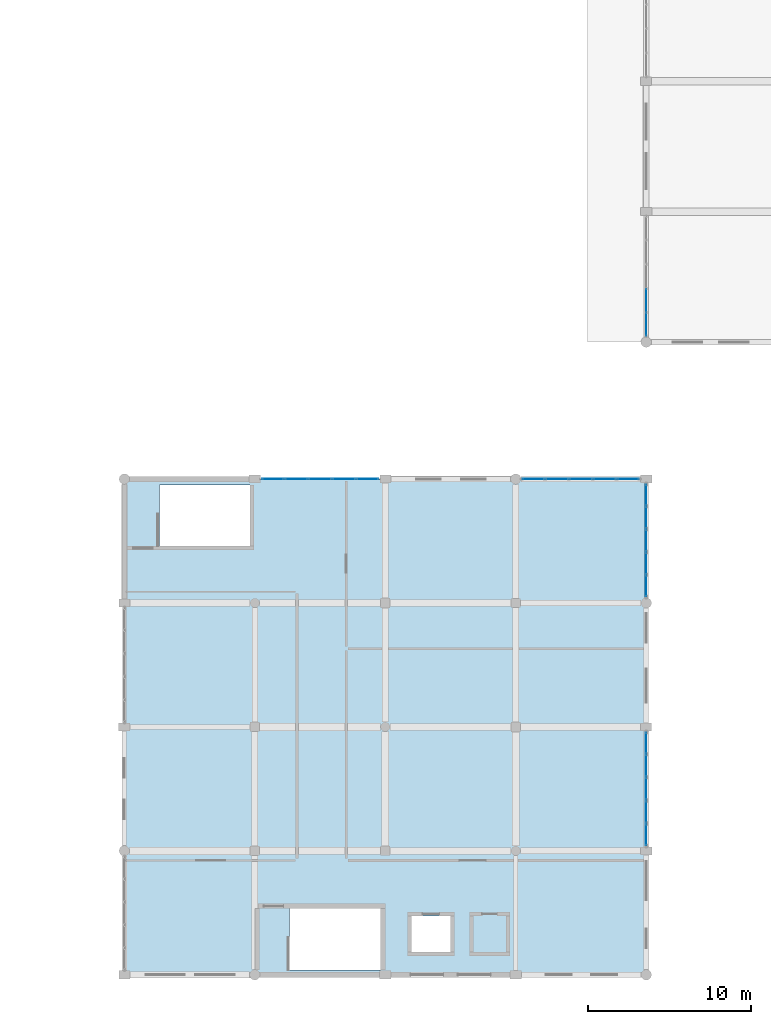
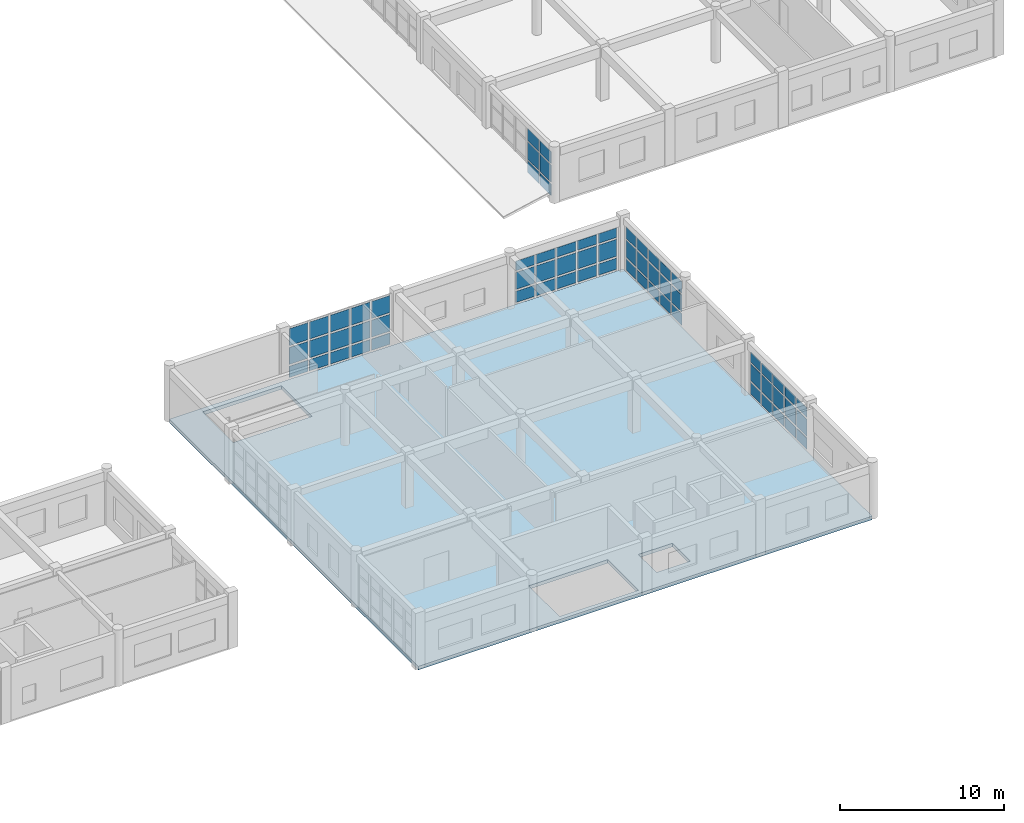
# One storey, part 97 of 121: 66 plates, 1 slab, 5 elements without a shape of their own.
"""IFC4 building model written with IfcOpenShell, lengths in metres."""

from ifc_helpers import new_model, si_unit, direction, frame, origin, origin_2d, place, context, subcontext, project, spatial, polyline, rectangle, outline, extrude, material, layer, layer_set, type_object, element, aggregate, save


model = new_model("IFC4")

# Units and contexts
model_context = context("Model", 3, precision=1e-05, world=origin(), true_north=direction((0.0, 1.0)))
body_context = subcontext(model_context, "Body", "Model", "MODEL_VIEW")
ifc_project = project(units=[si_unit("LENGTHUNIT", "METRE"), si_unit("AREAUNIT", "SQUARE_METRE"), si_unit("VOLUMEUNIT", "CUBIC_METRE"), si_unit("PLANEANGLEUNIT", "RADIAN"), si_unit("MASSUNIT", "GRAM", prefix="KILO")], contexts=[model_context])

# Site, building, storey
site_placement = place(None, origin())
site = spatial("IfcSite", under=ifc_project, at=site_placement, CompositionType="ELEMENT")
building_placement = place(site_placement, origin())
building = spatial("IfcBuilding", under=site, at=building_placement, Name="Kharva Crest Polytechnic", CompositionType="ELEMENT")
storey_placement = place(building_placement, frame((0.0, 0.0, 13.199951171875)))
storey = spatial("IfcBuildingStorey", under=building, at=storey_placement, Name="L03", CompositionType="ELEMENT", Elevation=13.199951171875)

# Curtain wall, plates
ifc_material_1 = material(Name="Tempered insulated glass", Category="glass")
curtain_wall_type_1 = type_object("IfcCurtainWallType", Name="CW-SYS-COURT", PredefinedType="USERDEFINED", material=ifc_material_1)
curtain_wall_1_placement = place(storey_placement, origin())
curtain_wall_1 = element("IfcCurtainWall", 1, at=curtain_wall_1_placement, inside=storey, type_object=curtain_wall_type_1, Name="L03 Glazed Curtain Wall CW-148", ObjectType="CURTAIN WALL", PredefinedType="USERDEFINED")
ifc_layer_1 = layer(ifc_material_1, 0.02392578125, Name="Tempered insulated glass")
ifc_layer_set_1 = layer_set([ifc_layer_1], Name="Tempered insulated glass")
plate_type_1 = type_object("IfcPlateType", Name="CWP-GLZ-24", PredefinedType="CURTAIN_PANEL", material=ifc_layer_set_1)
plate_1_placement = place(storey_placement, frame((152.800048828125, 41.35107421875, 0.119873046875), z_axis=(0.0, 0.0, 1.0), x_axis=(0.0, -1.0, 0.0)))
plate_1 = element("IfcPlate", 2, at=plate_1_placement, type_object=plate_type_1, Name="CW-148 panel 4.1", PredefinedType="CURTAIN_PANEL", context=body_context, shape_type="SweptSolid", body=[
    extrude(rectangle(XDim=1.404052734375, YDim=0.02392578125, at=origin_2d()), origin(), (0.0, 0.0, 1.0), 0.8701171875),
])
plate_2_placement = place(storey_placement, frame((152.800048828125, 41.35107421875, 1.10986328125), z_axis=(0.0, 0.0, 1.0), x_axis=(0.0, -1.0, 0.0)))
plate_2 = element("IfcPlate", 3, at=plate_2_placement, type_object=plate_type_1, Name="CW-148 panel 4.2", PredefinedType="CURTAIN_PANEL", context=body_context, shape_type="SweptSolid", body=[
    extrude(rectangle(XDim=1.404052734375, YDim=0.02392578125, at=origin_2d()), origin(), (0.0, 0.0, 1.0), 1.280029296875),
])
plate_3_placement = place(storey_placement, frame((152.800048828125, 41.35107421875, 2.51025390625), z_axis=(0.0, 0.0, 1.0), x_axis=(0.0, -1.0, 0.0)))
plate_3 = element("IfcPlate", 4, at=plate_3_placement, type_object=plate_type_1, Name="CW-148 panel 4.3", PredefinedType="CURTAIN_PANEL", context=body_context, shape_type="SweptSolid", body=[
    extrude(rectangle(XDim=1.404052734375, YDim=0.02392578125, at=origin_2d()), origin(), (0.0, 0.0, 1.0), 0.889892578125),
])
plate_4_placement = place(storey_placement, frame((152.800048828125, 39.886962890625, 0.119873046875), z_axis=(0.0, 0.0, 1.0), x_axis=(0.0, -1.0, 0.0)))
plate_4 = element("IfcPlate", 5, at=plate_4_placement, type_object=plate_type_1, Name="CW-148 panel 5.1", PredefinedType="CURTAIN_PANEL", context=body_context, shape_type="SweptSolid", body=[
    extrude(rectangle(XDim=1.364013671875, YDim=0.02392578125, at=origin_2d()), origin(), (0.0, 0.0, 1.0), 0.8701171875),
])
plate_5_placement = place(storey_placement, frame((152.800048828125, 39.886962890625, 1.10986328125), z_axis=(0.0, 0.0, 1.0), x_axis=(0.0, -1.0, 0.0)))
plate_5 = element("IfcPlate", 6, at=plate_5_placement, type_object=plate_type_1, Name="CW-148 panel 5.2", PredefinedType="CURTAIN_PANEL", context=body_context, shape_type="SweptSolid", body=[
    extrude(rectangle(XDim=1.364013671875, YDim=0.02392578125, at=origin_2d()), origin(), (0.0, 0.0, 1.0), 1.280029296875),
])
plate_6_placement = place(storey_placement, frame((152.800048828125, 39.886962890625, 2.51025390625), z_axis=(0.0, 0.0, 1.0), x_axis=(0.0, -1.0, 0.0)))
plate_6 = element("IfcPlate", 7, at=plate_6_placement, type_object=plate_type_1, Name="CW-148 panel 5.3", PredefinedType="CURTAIN_PANEL", context=body_context, shape_type="SweptSolid", body=[
    extrude(rectangle(XDim=1.364013671875, YDim=0.02392578125, at=origin_2d()), origin(), (0.0, 0.0, 1.0), 0.889892578125),
])
aggregate(curtain_wall_1, [plate_1, plate_2, plate_3, plate_4, plate_5, plate_6])

curtain_wall_type_2 = type_object("IfcCurtainWallType", Name="CW-SYS-REFECTORY", PredefinedType="USERDEFINED", material=ifc_material_1)
curtain_wall_2_placement = place(storey_placement, origin())
curtain_wall_2 = element("IfcCurtainWall", 8, at=curtain_wall_2_placement, inside=storey, type_object=curtain_wall_type_2, Name="L03 Glazed Curtain Wall CW-141", ObjectType="CURTAIN WALL", PredefinedType="USERDEFINED")
ifc_layer_2 = layer(ifc_material_1, 0.030029296875, Name="Tempered insulated glass")
ifc_layer_set_2 = layer_set([ifc_layer_2], Name="Tempered insulated glass")
plate_type_2 = type_object("IfcPlateType", Name="CWP-GLZ-30", PredefinedType="CURTAIN_PANEL", material=ifc_layer_set_2)
plate_7_placement = place(storey_placement, frame((152.800048828125, 8.589111328125, 0.14013671875), z_axis=(0.0, 0.0, 1.0), x_axis=(0.0, 1.0, 0.0)))
plate_7 = element("IfcPlate", 9, at=plate_7_placement, type_object=plate_type_2, Name="CW-141 panel 1.1", PredefinedType="CURTAIN_PANEL", context=body_context, shape_type="SweptSolid", body=[
    extrude(rectangle(XDim=1.26806640625, YDim=0.030029296875, at=origin_2d()), origin(), (0.0, 0.0, 1.0), 0.840087890625),
])
plate_8_placement = place(storey_placement, frame((152.800048828125, 8.589111328125, 1.1201171875), z_axis=(0.0, 0.0, 1.0), x_axis=(0.0, 1.0, 0.0)))
plate_8 = element("IfcPlate", 10, at=plate_8_placement, type_object=plate_type_2, Name="CW-141 panel 1.2", PredefinedType="CURTAIN_PANEL", context=body_context, shape_type="SweptSolid", body=[
    extrude(rectangle(XDim=1.26806640625, YDim=0.030029296875, at=origin_2d()), origin(), (0.0, 0.0, 1.0), 1.260009765625),
])
plate_9_placement = place(storey_placement, frame((152.800048828125, 8.589111328125, 2.52001953125), z_axis=(0.0, 0.0, 1.0), x_axis=(0.0, 1.0, 0.0)))
plate_9 = element("IfcPlate", 11, at=plate_9_placement, type_object=plate_type_2, Name="CW-141 panel 1.3", PredefinedType="CURTAIN_PANEL", context=body_context, shape_type="SweptSolid", body=[
    extrude(rectangle(XDim=1.26806640625, YDim=0.030029296875, at=origin_2d()), origin(), (0.0, 0.0, 1.0), 0.719970703125),
])
plate_10_placement = place(storey_placement, frame((152.800048828125, 9.98193359375, 0.14013671875), z_axis=(0.0, 0.0, 1.0), x_axis=(0.0, 1.0, 0.0)))
plate_10 = element("IfcPlate", 12, at=plate_10_placement, type_object=plate_type_2, Name="CW-141 panel 2.1", PredefinedType="CURTAIN_PANEL", context=body_context, shape_type="SweptSolid", body=[
    extrude(rectangle(XDim=1.318115234375, YDim=0.030029296875, at=origin_2d()), origin(), (0.0, 0.0, 1.0), 0.840087890625),
])
plate_11_placement = place(storey_placement, frame((152.800048828125, 9.98193359375, 1.1201171875), z_axis=(0.0, 0.0, 1.0), x_axis=(0.0, 1.0, 0.0)))
plate_11 = element("IfcPlate", 13, at=plate_11_placement, type_object=plate_type_2, Name="CW-141 panel 2.2", PredefinedType="CURTAIN_PANEL", context=body_context, shape_type="SweptSolid", body=[
    extrude(rectangle(XDim=1.318115234375, YDim=0.030029296875, at=origin_2d()), origin(), (0.0, 0.0, 1.0), 1.260009765625),
])
plate_12_placement = place(storey_placement, frame((152.800048828125, 9.98193359375, 2.52001953125), z_axis=(0.0, 0.0, 1.0), x_axis=(0.0, 1.0, 0.0)))
plate_12 = element("IfcPlate", 14, at=plate_12_placement, type_object=plate_type_2, Name="CW-141 panel 2.3", PredefinedType="CURTAIN_PANEL", context=body_context, shape_type="SweptSolid", body=[
    extrude(rectangle(XDim=1.318115234375, YDim=0.030029296875, at=origin_2d()), origin(), (0.0, 0.0, 1.0), 0.719970703125),
])
plate_13_placement = place(storey_placement, frame((152.800048828125, 11.39990234375, 0.14013671875), z_axis=(0.0, 0.0, 1.0), x_axis=(0.0, 1.0, 0.0)))
plate_13 = element("IfcPlate", 15, at=plate_13_placement, type_object=plate_type_2, Name="CW-141 panel 3.1", PredefinedType="CURTAIN_PANEL", context=body_context, shape_type="SweptSolid", body=[
    extrude(rectangle(XDim=1.318115234375, YDim=0.030029296875, at=origin_2d()), origin(), (0.0, 0.0, 1.0), 0.840087890625),
])
plate_14_placement = place(storey_placement, frame((152.800048828125, 11.39990234375, 1.1201171875), z_axis=(0.0, 0.0, 1.0), x_axis=(0.0, 1.0, 0.0)))
plate_14 = element("IfcPlate", 16, at=plate_14_placement, type_object=plate_type_2, Name="CW-141 panel 3.2", PredefinedType="CURTAIN_PANEL", context=body_context, shape_type="SweptSolid", body=[
    extrude(rectangle(XDim=1.318115234375, YDim=0.030029296875, at=origin_2d()), origin(), (0.0, 0.0, 1.0), 1.260009765625),
])
plate_15_placement = place(storey_placement, frame((152.800048828125, 11.39990234375, 2.52001953125), z_axis=(0.0, 0.0, 1.0), x_axis=(0.0, 1.0, 0.0)))
plate_15 = element("IfcPlate", 17, at=plate_15_placement, type_object=plate_type_2, Name="CW-141 panel 3.3", PredefinedType="CURTAIN_PANEL", context=body_context, shape_type="SweptSolid", body=[
    extrude(rectangle(XDim=1.318115234375, YDim=0.030029296875, at=origin_2d()), origin(), (0.0, 0.0, 1.0), 0.719970703125),
])
plate_16_placement = place(storey_placement, frame((152.800048828125, 12.818115234375, 0.14013671875), z_axis=(0.0, 0.0, 1.0), x_axis=(0.0, 1.0, 0.0)))
plate_16 = element("IfcPlate", 18, at=plate_16_placement, type_object=plate_type_2, Name="CW-141 panel 4.1", PredefinedType="CURTAIN_PANEL", context=body_context, shape_type="SweptSolid", body=[
    extrude(rectangle(XDim=1.318115234375, YDim=0.030029296875, at=origin_2d()), origin(), (0.0, 0.0, 1.0), 0.840087890625),
])
plate_17_placement = place(storey_placement, frame((152.800048828125, 12.818115234375, 1.1201171875), z_axis=(0.0, 0.0, 1.0), x_axis=(0.0, 1.0, 0.0)))
plate_17 = element("IfcPlate", 19, at=plate_17_placement, type_object=plate_type_2, Name="CW-141 panel 4.2", PredefinedType="CURTAIN_PANEL", context=body_context, shape_type="SweptSolid", body=[
    extrude(rectangle(XDim=1.318115234375, YDim=0.030029296875, at=origin_2d()), origin(), (0.0, 0.0, 1.0), 1.260009765625),
])
plate_18_placement = place(storey_placement, frame((152.800048828125, 12.818115234375, 2.52001953125), z_axis=(0.0, 0.0, 1.0), x_axis=(0.0, 1.0, 0.0)))
plate_18 = element("IfcPlate", 20, at=plate_18_placement, type_object=plate_type_2, Name="CW-141 panel 4.3", PredefinedType="CURTAIN_PANEL", context=body_context, shape_type="SweptSolid", body=[
    extrude(rectangle(XDim=1.318115234375, YDim=0.030029296875, at=origin_2d()), origin(), (0.0, 0.0, 1.0), 0.719970703125),
])
plate_19_placement = place(storey_placement, frame((152.800048828125, 14.2109375, 0.14013671875), z_axis=(0.0, 0.0, 1.0), x_axis=(0.0, 1.0, 0.0)))
plate_19 = element("IfcPlate", 21, at=plate_19_placement, type_object=plate_type_2, Name="CW-141 panel 5.1", PredefinedType="CURTAIN_PANEL", context=body_context, shape_type="SweptSolid", body=[
    extrude(rectangle(XDim=1.26806640625, YDim=0.030029296875, at=origin_2d()), origin(), (0.0, 0.0, 1.0), 0.840087890625),
])
plate_20_placement = place(storey_placement, frame((152.800048828125, 14.2109375, 1.1201171875), z_axis=(0.0, 0.0, 1.0), x_axis=(0.0, 1.0, 0.0)))
plate_20 = element("IfcPlate", 22, at=plate_20_placement, type_object=plate_type_2, Name="CW-141 panel 5.2", PredefinedType="CURTAIN_PANEL", context=body_context, shape_type="SweptSolid", body=[
    extrude(rectangle(XDim=1.26806640625, YDim=0.030029296875, at=origin_2d()), origin(), (0.0, 0.0, 1.0), 1.260009765625),
])
plate_21_placement = place(storey_placement, frame((152.800048828125, 14.2109375, 2.52001953125), z_axis=(0.0, 0.0, 1.0), x_axis=(0.0, 1.0, 0.0)))
plate_21 = element("IfcPlate", 23, at=plate_21_placement, type_object=plate_type_2, Name="CW-141 panel 5.3", PredefinedType="CURTAIN_PANEL", context=body_context, shape_type="SweptSolid", body=[
    extrude(rectangle(XDim=1.26806640625, YDim=0.030029296875, at=origin_2d()), origin(), (0.0, 0.0, 1.0), 0.719970703125),
])
aggregate(curtain_wall_2, [plate_7, plate_8, plate_9, plate_10, plate_11, plate_12, plate_13, plate_14, plate_15, plate_16, plate_17, plate_18, plate_19, plate_20, plate_21])

curtain_wall_3_placement = place(storey_placement, origin())
curtain_wall_3 = element("IfcCurtainWall", 24, at=curtain_wall_3_placement, inside=storey, type_object=curtain_wall_type_2, Name="L03 Glazed Curtain Wall CW-142", ObjectType="CURTAIN WALL", PredefinedType="USERDEFINED")
plate_22_placement = place(storey_placement, frame((152.800048828125, 23.85205078125, 0.14013671875), z_axis=(0.0, 0.0, 1.0), x_axis=(0.0, 1.0, 0.0)))
plate_22 = element("IfcPlate", 25, at=plate_22_placement, type_object=plate_type_2, Name="CW-142 panel 1.1", PredefinedType="CURTAIN_PANEL", context=body_context, shape_type="SweptSolid", body=[
    extrude(rectangle(XDim=1.25390625, YDim=0.030029296875, at=origin_2d()), origin(), (0.0, 0.0, 1.0), 0.840087890625),
])
plate_23_placement = place(storey_placement, frame((152.800048828125, 23.85205078125, 1.1201171875), z_axis=(0.0, 0.0, 1.0), x_axis=(0.0, 1.0, 0.0)))
plate_23 = element("IfcPlate", 26, at=plate_23_placement, type_object=plate_type_2, Name="CW-142 panel 1.2", PredefinedType="CURTAIN_PANEL", context=body_context, shape_type="SweptSolid", body=[
    extrude(rectangle(XDim=1.25390625, YDim=0.030029296875, at=origin_2d()), origin(), (0.0, 0.0, 1.0), 1.260009765625),
])
plate_24_placement = place(storey_placement, frame((152.800048828125, 23.85205078125, 2.52001953125), z_axis=(0.0, 0.0, 1.0), x_axis=(0.0, 1.0, 0.0)))
plate_24 = element("IfcPlate", 27, at=plate_24_placement, type_object=plate_type_2, Name="CW-142 panel 1.3", PredefinedType="CURTAIN_PANEL", context=body_context, shape_type="SweptSolid", body=[
    extrude(rectangle(XDim=1.25390625, YDim=0.030029296875, at=origin_2d()), origin(), (0.0, 0.0, 1.0), 0.840087890625),
])
plate_25_placement = place(storey_placement, frame((152.800048828125, 25.23095703125, 0.14013671875), z_axis=(0.0, 0.0, 1.0), x_axis=(0.0, 1.0, 0.0)))
plate_25 = element("IfcPlate", 28, at=plate_25_placement, type_object=plate_type_2, Name="CW-142 panel 2.1", PredefinedType="CURTAIN_PANEL", context=body_context, shape_type="SweptSolid", body=[
    extrude(rectangle(XDim=1.303955078125, YDim=0.030029296875, at=origin_2d()), origin(), (0.0, 0.0, 1.0), 0.840087890625),
])
plate_26_placement = place(storey_placement, frame((152.800048828125, 25.23095703125, 1.1201171875), z_axis=(0.0, 0.0, 1.0), x_axis=(0.0, 1.0, 0.0)))
plate_26 = element("IfcPlate", 29, at=plate_26_placement, type_object=plate_type_2, Name="CW-142 panel 2.2", PredefinedType="CURTAIN_PANEL", context=body_context, shape_type="SweptSolid", body=[
    extrude(rectangle(XDim=1.303955078125, YDim=0.030029296875, at=origin_2d()), origin(), (0.0, 0.0, 1.0), 1.260009765625),
])
plate_27_placement = place(storey_placement, frame((152.800048828125, 25.23095703125, 2.52001953125), z_axis=(0.0, 0.0, 1.0), x_axis=(0.0, 1.0, 0.0)))
plate_27 = element("IfcPlate", 30, at=plate_27_placement, type_object=plate_type_2, Name="CW-142 panel 2.3", PredefinedType="CURTAIN_PANEL", context=body_context, shape_type="SweptSolid", body=[
    extrude(rectangle(XDim=1.303955078125, YDim=0.030029296875, at=origin_2d()), origin(), (0.0, 0.0, 1.0), 0.840087890625),
])
plate_28_placement = place(storey_placement, frame((152.800048828125, 26.635009765625, 0.14013671875), z_axis=(0.0, 0.0, 1.0), x_axis=(0.0, 1.0, 0.0)))
plate_28 = element("IfcPlate", 31, at=plate_28_placement, type_object=plate_type_2, Name="CW-142 panel 3.1", PredefinedType="CURTAIN_PANEL", context=body_context, shape_type="SweptSolid", body=[
    extrude(rectangle(XDim=1.303955078125, YDim=0.030029296875, at=origin_2d()), origin(), (0.0, 0.0, 1.0), 0.840087890625),
])
plate_29_placement = place(storey_placement, frame((152.800048828125, 26.635009765625, 1.1201171875), z_axis=(0.0, 0.0, 1.0), x_axis=(0.0, 1.0, 0.0)))
plate_29 = element("IfcPlate", 32, at=plate_29_placement, type_object=plate_type_2, Name="CW-142 panel 3.2", PredefinedType="CURTAIN_PANEL", context=body_context, shape_type="SweptSolid", body=[
    extrude(rectangle(XDim=1.303955078125, YDim=0.030029296875, at=origin_2d()), origin(), (0.0, 0.0, 1.0), 1.260009765625),
])
plate_30_placement = place(storey_placement, frame((152.800048828125, 26.635009765625, 2.52001953125), z_axis=(0.0, 0.0, 1.0), x_axis=(0.0, 1.0, 0.0)))
plate_30 = element("IfcPlate", 33, at=plate_30_placement, type_object=plate_type_2, Name="CW-142 panel 3.3", PredefinedType="CURTAIN_PANEL", context=body_context, shape_type="SweptSolid", body=[
    extrude(rectangle(XDim=1.303955078125, YDim=0.030029296875, at=origin_2d()), origin(), (0.0, 0.0, 1.0), 0.840087890625),
])
plate_31_placement = place(storey_placement, frame((152.800048828125, 28.0390625, 0.14013671875), z_axis=(0.0, 0.0, 1.0), x_axis=(0.0, 1.0, 0.0)))
plate_31 = element("IfcPlate", 34, at=plate_31_placement, type_object=plate_type_2, Name="CW-142 panel 4.1", PredefinedType="CURTAIN_PANEL", context=body_context, shape_type="SweptSolid", body=[
    extrude(rectangle(XDim=1.303955078125, YDim=0.030029296875, at=origin_2d()), origin(), (0.0, 0.0, 1.0), 0.840087890625),
])
plate_32_placement = place(storey_placement, frame((152.800048828125, 28.0390625, 1.1201171875), z_axis=(0.0, 0.0, 1.0), x_axis=(0.0, 1.0, 0.0)))
plate_32 = element("IfcPlate", 35, at=plate_32_placement, type_object=plate_type_2, Name="CW-142 panel 4.2", PredefinedType="CURTAIN_PANEL", context=body_context, shape_type="SweptSolid", body=[
    extrude(rectangle(XDim=1.303955078125, YDim=0.030029296875, at=origin_2d()), origin(), (0.0, 0.0, 1.0), 1.260009765625),
])
plate_33_placement = place(storey_placement, frame((152.800048828125, 28.0390625, 2.52001953125), z_axis=(0.0, 0.0, 1.0), x_axis=(0.0, 1.0, 0.0)))
plate_33 = element("IfcPlate", 36, at=plate_33_placement, type_object=plate_type_2, Name="CW-142 panel 4.3", PredefinedType="CURTAIN_PANEL", context=body_context, shape_type="SweptSolid", body=[
    extrude(rectangle(XDim=1.303955078125, YDim=0.030029296875, at=origin_2d()), origin(), (0.0, 0.0, 1.0), 0.840087890625),
])
plate_34_placement = place(storey_placement, frame((152.800048828125, 29.41796875, 0.14013671875), z_axis=(0.0, 0.0, 1.0), x_axis=(0.0, 1.0, 0.0)))
plate_34 = element("IfcPlate", 37, at=plate_34_placement, type_object=plate_type_2, Name="CW-142 panel 5.1", PredefinedType="CURTAIN_PANEL", context=body_context, shape_type="SweptSolid", body=[
    extrude(rectangle(XDim=1.25390625, YDim=0.030029296875, at=origin_2d()), origin(), (0.0, 0.0, 1.0), 0.840087890625),
])
plate_35_placement = place(storey_placement, frame((152.800048828125, 29.41796875, 1.1201171875), z_axis=(0.0, 0.0, 1.0), x_axis=(0.0, 1.0, 0.0)))
plate_35 = element("IfcPlate", 38, at=plate_35_placement, type_object=plate_type_2, Name="CW-142 panel 5.2", PredefinedType="CURTAIN_PANEL", context=body_context, shape_type="SweptSolid", body=[
    extrude(rectangle(XDim=1.25390625, YDim=0.030029296875, at=origin_2d()), origin(), (0.0, 0.0, 1.0), 1.260009765625),
])
plate_36_placement = place(storey_placement, frame((152.800048828125, 29.41796875, 2.52001953125), z_axis=(0.0, 0.0, 1.0), x_axis=(0.0, 1.0, 0.0)))
plate_36 = element("IfcPlate", 39, at=plate_36_placement, type_object=plate_type_2, Name="CW-142 panel 5.3", PredefinedType="CURTAIN_PANEL", context=body_context, shape_type="SweptSolid", body=[
    extrude(rectangle(XDim=1.25390625, YDim=0.030029296875, at=origin_2d()), origin(), (0.0, 0.0, 1.0), 0.840087890625),
])
aggregate(curtain_wall_3, [plate_22, plate_23, plate_24, plate_25, plate_26, plate_27, plate_28, plate_29, plate_30, plate_31, plate_32, plate_33, plate_34, plate_35, plate_36])

curtain_wall_4_placement = place(storey_placement, origin())
curtain_wall_4 = element("IfcCurtainWall", 40, at=curtain_wall_4_placement, inside=storey, type_object=curtain_wall_type_2, Name="L03 Glazed Curtain Wall CW-143", ObjectType="CURTAIN WALL", PredefinedType="USERDEFINED")
plate_37_placement = place(storey_placement, frame((151.68798828125, 30.39990234375, 0.14013671875), z_axis=(0.0, 0.0, 1.0), x_axis=(-1.0, 0.0, 0.0)))
plate_37 = element("IfcPlate", 41, at=plate_37_placement, type_object=plate_type_2, Name="CW-143 panel 1.1", PredefinedType="CURTAIN_PANEL", context=body_context, shape_type="SweptSolid", body=[
    extrude(rectangle(XDim=1.31396484375, YDim=0.030029296875, at=origin_2d()), origin(), (0.0, 0.0, 1.0), 0.840087890625),
])
plate_38_placement = place(storey_placement, frame((151.68798828125, 30.39990234375, 1.1201171875), z_axis=(0.0, 0.0, 1.0), x_axis=(-1.0, 0.0, 0.0)))
plate_38 = element("IfcPlate", 42, at=plate_38_placement, type_object=plate_type_2, Name="CW-143 panel 1.2", PredefinedType="CURTAIN_PANEL", context=body_context, shape_type="SweptSolid", body=[
    extrude(rectangle(XDim=1.31396484375, YDim=0.030029296875, at=origin_2d()), origin(), (0.0, 0.0, 1.0), 1.260009765625),
])
plate_39_placement = place(storey_placement, frame((151.68798828125, 30.39990234375, 2.52001953125), z_axis=(0.0, 0.0, 1.0), x_axis=(-1.0, 0.0, 0.0)))
plate_39 = element("IfcPlate", 43, at=plate_39_placement, type_object=plate_type_2, Name="CW-143 panel 1.3", PredefinedType="CURTAIN_PANEL", context=body_context, shape_type="SweptSolid", body=[
    extrude(rectangle(XDim=1.31396484375, YDim=0.030029296875, at=origin_2d()), origin(), (0.0, 0.0, 1.0), 0.699951171875),
])
plate_40_placement = place(storey_placement, frame((150.2490234375, 30.39990234375, 0.14013671875), z_axis=(0.0, 0.0, 1.0), x_axis=(-1.0, 0.0, 0.0)))
plate_40 = element("IfcPlate", 44, at=plate_40_placement, type_object=plate_type_2, Name="CW-143 panel 2.1", PredefinedType="CURTAIN_PANEL", context=body_context, shape_type="SweptSolid", body=[
    extrude(rectangle(XDim=1.364013671875, YDim=0.030029296875, at=origin_2d()), origin(), (0.0, 0.0, 1.0), 0.840087890625),
])
plate_41_placement = place(storey_placement, frame((150.2490234375, 30.39990234375, 1.1201171875), z_axis=(0.0, 0.0, 1.0), x_axis=(-1.0, 0.0, 0.0)))
plate_41 = element("IfcPlate", 45, at=plate_41_placement, type_object=plate_type_2, Name="CW-143 panel 2.2", PredefinedType="CURTAIN_PANEL", context=body_context, shape_type="SweptSolid", body=[
    extrude(rectangle(XDim=1.364013671875, YDim=0.030029296875, at=origin_2d()), origin(), (0.0, 0.0, 1.0), 1.260009765625),
])
plate_42_placement = place(storey_placement, frame((150.2490234375, 30.39990234375, 2.52001953125), z_axis=(0.0, 0.0, 1.0), x_axis=(-1.0, 0.0, 0.0)))
plate_42 = element("IfcPlate", 46, at=plate_42_placement, type_object=plate_type_2, Name="CW-143 panel 2.3", PredefinedType="CURTAIN_PANEL", context=body_context, shape_type="SweptSolid", body=[
    extrude(rectangle(XDim=1.364013671875, YDim=0.030029296875, at=origin_2d()), origin(), (0.0, 0.0, 1.0), 0.699951171875),
])
plate_43_placement = place(storey_placement, frame((148.784912109375, 30.39990234375, 0.14013671875), z_axis=(0.0, 0.0, 1.0), x_axis=(-1.0, 0.0, 0.0)))
plate_43 = element("IfcPlate", 47, at=plate_43_placement, type_object=plate_type_2, Name="CW-143 panel 3.1", PredefinedType="CURTAIN_PANEL", context=body_context, shape_type="SweptSolid", body=[
    extrude(rectangle(XDim=1.364013671875, YDim=0.030029296875, at=origin_2d()), origin(), (0.0, 0.0, 1.0), 0.840087890625),
])
plate_44_placement = place(storey_placement, frame((148.784912109375, 30.39990234375, 1.1201171875), z_axis=(0.0, 0.0, 1.0), x_axis=(-1.0, 0.0, 0.0)))
plate_44 = element("IfcPlate", 48, at=plate_44_placement, type_object=plate_type_2, Name="CW-143 panel 3.2", PredefinedType="CURTAIN_PANEL", context=body_context, shape_type="SweptSolid", body=[
    extrude(rectangle(XDim=1.364013671875, YDim=0.030029296875, at=origin_2d()), origin(), (0.0, 0.0, 1.0), 1.260009765625),
])
plate_45_placement = place(storey_placement, frame((148.784912109375, 30.39990234375, 2.52001953125), z_axis=(0.0, 0.0, 1.0), x_axis=(-1.0, 0.0, 0.0)))
plate_45 = element("IfcPlate", 49, at=plate_45_placement, type_object=plate_type_2, Name="CW-143 panel 3.3", PredefinedType="CURTAIN_PANEL", context=body_context, shape_type="SweptSolid", body=[
    extrude(rectangle(XDim=1.364013671875, YDim=0.030029296875, at=origin_2d()), origin(), (0.0, 0.0, 1.0), 0.699951171875),
])
plate_46_placement = place(storey_placement, frame((147.321044921875, 30.39990234375, 0.14013671875), z_axis=(0.0, 0.0, 1.0), x_axis=(-1.0, 0.0, 0.0)))
plate_46 = element("IfcPlate", 50, at=plate_46_placement, type_object=plate_type_2, Name="CW-143 panel 4.1", PredefinedType="CURTAIN_PANEL", context=body_context, shape_type="SweptSolid", body=[
    extrude(rectangle(XDim=1.364013671875, YDim=0.030029296875, at=origin_2d()), origin(), (0.0, 0.0, 1.0), 0.840087890625),
])
plate_47_placement = place(storey_placement, frame((147.321044921875, 30.39990234375, 1.1201171875), z_axis=(0.0, 0.0, 1.0), x_axis=(-1.0, 0.0, 0.0)))
plate_47 = element("IfcPlate", 51, at=plate_47_placement, type_object=plate_type_2, Name="CW-143 panel 4.2", PredefinedType="CURTAIN_PANEL", context=body_context, shape_type="SweptSolid", body=[
    extrude(rectangle(XDim=1.364013671875, YDim=0.030029296875, at=origin_2d()), origin(), (0.0, 0.0, 1.0), 1.260009765625),
])
plate_48_placement = place(storey_placement, frame((147.321044921875, 30.39990234375, 2.52001953125), z_axis=(0.0, 0.0, 1.0), x_axis=(-1.0, 0.0, 0.0)))
plate_48 = element("IfcPlate", 52, at=plate_48_placement, type_object=plate_type_2, Name="CW-143 panel 4.3", PredefinedType="CURTAIN_PANEL", context=body_context, shape_type="SweptSolid", body=[
    extrude(rectangle(XDim=1.364013671875, YDim=0.030029296875, at=origin_2d()), origin(), (0.0, 0.0, 1.0), 0.699951171875),
])
plate_49_placement = place(storey_placement, frame((145.882080078125, 30.39990234375, 0.14013671875), z_axis=(0.0, 0.0, 1.0), x_axis=(-1.0, 0.0, 0.0)))
plate_49 = element("IfcPlate", 53, at=plate_49_placement, type_object=plate_type_2, Name="CW-143 panel 5.1", PredefinedType="CURTAIN_PANEL", context=body_context, shape_type="SweptSolid", body=[
    extrude(rectangle(XDim=1.31396484375, YDim=0.030029296875, at=origin_2d()), origin(), (0.0, 0.0, 1.0), 0.840087890625),
])
plate_50_placement = place(storey_placement, frame((145.882080078125, 30.39990234375, 1.1201171875), z_axis=(0.0, 0.0, 1.0), x_axis=(-1.0, 0.0, 0.0)))
plate_50 = element("IfcPlate", 54, at=plate_50_placement, type_object=plate_type_2, Name="CW-143 panel 5.2", PredefinedType="CURTAIN_PANEL", context=body_context, shape_type="SweptSolid", body=[
    extrude(rectangle(XDim=1.31396484375, YDim=0.030029296875, at=origin_2d()), origin(), (0.0, 0.0, 1.0), 1.260009765625),
])
plate_51_placement = place(storey_placement, frame((145.882080078125, 30.39990234375, 2.52001953125), z_axis=(0.0, 0.0, 1.0), x_axis=(-1.0, 0.0, 0.0)))
plate_51 = element("IfcPlate", 55, at=plate_51_placement, type_object=plate_type_2, Name="CW-143 panel 5.3", PredefinedType="CURTAIN_PANEL", context=body_context, shape_type="SweptSolid", body=[
    extrude(rectangle(XDim=1.31396484375, YDim=0.030029296875, at=origin_2d()), origin(), (0.0, 0.0, 1.0), 0.699951171875),
])
aggregate(curtain_wall_4, [plate_37, plate_38, plate_39, plate_40, plate_41, plate_42, plate_43, plate_44, plate_45, plate_46, plate_47, plate_48, plate_49, plate_50, plate_51])

curtain_wall_5_placement = place(storey_placement, origin())
curtain_wall_5 = element("IfcCurtainWall", 56, at=curtain_wall_5_placement, inside=storey, type_object=curtain_wall_type_2, Name="L03 Glazed Curtain Wall CW-144", ObjectType="CURTAIN WALL", PredefinedType="USERDEFINED")
plate_52_placement = place(storey_placement, frame((135.699951171875, 30.39990234375, 0.14013671875), z_axis=(0.0, 0.0, 1.0), x_axis=(-1.0, 0.0, 0.0)))
plate_52 = element("IfcPlate", 57, at=plate_52_placement, type_object=plate_type_2, Name="CW-144 panel 1.1", PredefinedType="CURTAIN_PANEL", context=body_context, shape_type="SweptSolid", body=[
    extrude(rectangle(XDim=1.31005859375, YDim=0.030029296875, at=origin_2d()), origin(), (0.0, 0.0, 1.0), 0.840087890625),
])
plate_53_placement = place(storey_placement, frame((135.699951171875, 30.39990234375, 1.1201171875), z_axis=(0.0, 0.0, 1.0), x_axis=(-1.0, 0.0, 0.0)))
plate_53 = element("IfcPlate", 58, at=plate_53_placement, type_object=plate_type_2, Name="CW-144 panel 1.2", PredefinedType="CURTAIN_PANEL", context=body_context, shape_type="SweptSolid", body=[
    extrude(rectangle(XDim=1.31005859375, YDim=0.030029296875, at=origin_2d()), origin(), (0.0, 0.0, 1.0), 1.260009765625),
])
plate_54_placement = place(storey_placement, frame((135.699951171875, 30.39990234375, 2.52001953125), z_axis=(0.0, 0.0, 1.0), x_axis=(-1.0, 0.0, 0.0)))
plate_54 = element("IfcPlate", 59, at=plate_54_placement, type_object=plate_type_2, Name="CW-144 panel 1.3", PredefinedType="CURTAIN_PANEL", context=body_context, shape_type="SweptSolid", body=[
    extrude(rectangle(XDim=1.31005859375, YDim=0.030029296875, at=origin_2d()), origin(), (0.0, 0.0, 1.0), 1.260009765625),
])
plate_55_placement = place(storey_placement, frame((134.264892578125, 30.39990234375, 0.14013671875), z_axis=(0.0, 0.0, 1.0), x_axis=(-1.0, 0.0, 0.0)))
plate_55 = element("IfcPlate", 60, at=plate_55_placement, type_object=plate_type_2, Name="CW-144 panel 2.1", PredefinedType="CURTAIN_PANEL", context=body_context, shape_type="SweptSolid", body=[
    extrude(rectangle(XDim=1.360107421875, YDim=0.030029296875, at=origin_2d()), origin(), (0.0, 0.0, 1.0), 0.840087890625),
])
plate_56_placement = place(storey_placement, frame((134.264892578125, 30.39990234375, 1.1201171875), z_axis=(0.0, 0.0, 1.0), x_axis=(-1.0, 0.0, 0.0)))
plate_56 = element("IfcPlate", 61, at=plate_56_placement, type_object=plate_type_2, Name="CW-144 panel 2.2", PredefinedType="CURTAIN_PANEL", context=body_context, shape_type="SweptSolid", body=[
    extrude(rectangle(XDim=1.360107421875, YDim=0.030029296875, at=origin_2d()), origin(), (0.0, 0.0, 1.0), 1.260009765625),
])
plate_57_placement = place(storey_placement, frame((134.264892578125, 30.39990234375, 2.52001953125), z_axis=(0.0, 0.0, 1.0), x_axis=(-1.0, 0.0, 0.0)))
plate_57 = element("IfcPlate", 62, at=plate_57_placement, type_object=plate_type_2, Name="CW-144 panel 2.3", PredefinedType="CURTAIN_PANEL", context=body_context, shape_type="SweptSolid", body=[
    extrude(rectangle(XDim=1.360107421875, YDim=0.030029296875, at=origin_2d()), origin(), (0.0, 0.0, 1.0), 1.260009765625),
])
plate_58_placement = place(storey_placement, frame((132.804931640625, 30.39990234375, 0.14013671875), z_axis=(0.0, 0.0, 1.0), x_axis=(-1.0, 0.0, 0.0)))
plate_58 = element("IfcPlate", 63, at=plate_58_placement, type_object=plate_type_2, Name="CW-144 panel 3.1", PredefinedType="CURTAIN_PANEL", context=body_context, shape_type="SweptSolid", body=[
    extrude(rectangle(XDim=1.360107421875, YDim=0.030029296875, at=origin_2d()), origin(), (0.0, 0.0, 1.0), 0.840087890625),
])
plate_59_placement = place(storey_placement, frame((132.804931640625, 30.39990234375, 1.1201171875), z_axis=(0.0, 0.0, 1.0), x_axis=(-1.0, 0.0, 0.0)))
plate_59 = element("IfcPlate", 64, at=plate_59_placement, type_object=plate_type_2, Name="CW-144 panel 3.2", PredefinedType="CURTAIN_PANEL", context=body_context, shape_type="SweptSolid", body=[
    extrude(rectangle(XDim=1.360107421875, YDim=0.030029296875, at=origin_2d()), origin(), (0.0, 0.0, 1.0), 1.260009765625),
])
plate_60_placement = place(storey_placement, frame((132.804931640625, 30.39990234375, 2.52001953125), z_axis=(0.0, 0.0, 1.0), x_axis=(-1.0, 0.0, 0.0)))
plate_60 = element("IfcPlate", 65, at=plate_60_placement, type_object=plate_type_2, Name="CW-144 panel 3.3", PredefinedType="CURTAIN_PANEL", context=body_context, shape_type="SweptSolid", body=[
    extrude(rectangle(XDim=1.360107421875, YDim=0.030029296875, at=origin_2d()), origin(), (0.0, 0.0, 1.0), 1.260009765625),
])
plate_61_placement = place(storey_placement, frame((131.344970703125, 30.39990234375, 0.14013671875), z_axis=(0.0, 0.0, 1.0), x_axis=(-1.0, 0.0, 0.0)))
plate_61 = element("IfcPlate", 66, at=plate_61_placement, type_object=plate_type_2, Name="CW-144 panel 4.1", PredefinedType="CURTAIN_PANEL", context=body_context, shape_type="SweptSolid", body=[
    extrude(rectangle(XDim=1.360107421875, YDim=0.030029296875, at=origin_2d()), origin(), (0.0, 0.0, 1.0), 0.840087890625),
])
plate_62_placement = place(storey_placement, frame((131.344970703125, 30.39990234375, 1.1201171875), z_axis=(0.0, 0.0, 1.0), x_axis=(-1.0, 0.0, 0.0)))
plate_62 = element("IfcPlate", 67, at=plate_62_placement, type_object=plate_type_2, Name="CW-144 panel 4.2", PredefinedType="CURTAIN_PANEL", context=body_context, shape_type="SweptSolid", body=[
    extrude(rectangle(XDim=1.360107421875, YDim=0.030029296875, at=origin_2d()), origin(), (0.0, 0.0, 1.0), 1.260009765625),
])
plate_63_placement = place(storey_placement, frame((131.344970703125, 30.39990234375, 2.52001953125), z_axis=(0.0, 0.0, 1.0), x_axis=(-1.0, 0.0, 0.0)))
plate_63 = element("IfcPlate", 68, at=plate_63_placement, type_object=plate_type_2, Name="CW-144 panel 4.3", PredefinedType="CURTAIN_PANEL", context=body_context, shape_type="SweptSolid", body=[
    extrude(rectangle(XDim=1.360107421875, YDim=0.030029296875, at=origin_2d()), origin(), (0.0, 0.0, 1.0), 1.260009765625),
])
plate_64_placement = place(storey_placement, frame((129.909912109375, 30.39990234375, 0.14013671875), z_axis=(0.0, 0.0, 1.0), x_axis=(-1.0, 0.0, 0.0)))
plate_64 = element("IfcPlate", 69, at=plate_64_placement, type_object=plate_type_2, Name="CW-144 panel 5.1", PredefinedType="CURTAIN_PANEL", context=body_context, shape_type="SweptSolid", body=[
    extrude(rectangle(XDim=1.31005859375, YDim=0.030029296875, at=origin_2d()), origin(), (0.0, 0.0, 1.0), 0.840087890625),
])
plate_65_placement = place(storey_placement, frame((129.909912109375, 30.39990234375, 1.1201171875), z_axis=(0.0, 0.0, 1.0), x_axis=(-1.0, 0.0, 0.0)))
plate_65 = element("IfcPlate", 70, at=plate_65_placement, type_object=plate_type_2, Name="CW-144 panel 5.2", PredefinedType="CURTAIN_PANEL", context=body_context, shape_type="SweptSolid", body=[
    extrude(rectangle(XDim=1.31005859375, YDim=0.030029296875, at=origin_2d()), origin(), (0.0, 0.0, 1.0), 1.260009765625),
])
plate_66_placement = place(storey_placement, frame((129.909912109375, 30.39990234375, 2.52001953125), z_axis=(0.0, 0.0, 1.0), x_axis=(-1.0, 0.0, 0.0)))
plate_66 = element("IfcPlate", 71, at=plate_66_placement, type_object=plate_type_2, Name="CW-144 panel 5.3", PredefinedType="CURTAIN_PANEL", context=body_context, shape_type="SweptSolid", body=[
    extrude(rectangle(XDim=1.31005859375, YDim=0.030029296875, at=origin_2d()), origin(), (0.0, 0.0, 1.0), 1.260009765625),
])
aggregate(curtain_wall_5, [plate_52, plate_53, plate_54, plate_55, plate_56, plate_57, plate_58, plate_59, plate_60, plate_61, plate_62, plate_63, plate_64, plate_65, plate_66])

# Slab
ifc_material_2 = material(Name="Concrete C35/45", Category="concrete")
ifc_layer_3 = layer(ifc_material_2, 0.260009765625, Name="Concrete C35/45")
ifc_layer_set_3 = layer_set([ifc_layer_3], Name="Concrete C35/45")
slab_type = type_object("IfcSlabType", Name="SLB-FLR-260", PredefinedType="FLOOR", material=ifc_layer_set_3)
slab_placement = place(storey_placement, frame((0.0, 0.0, -0.260009765625)))
element("IfcSlab", 72, at=slab_placement, inside=storey, type_object=slab_type, Name="L03 Structural Slab SE_REF_TOP", PredefinedType="FLOOR", context=body_context, shape_type="SweptSolid", body=[
    extrude(outline(polyline([(120.800048828125, 0.0), (152.800048828125, 0.0), (152.800048828125, 30.39990234375), (120.800048828125, 30.39990234375), (120.800048828125, 0.0)]), holes=[polyline([(130.929931640625, 0.300048828125), (136.5, 0.300048828125), (136.5, 4.06005859375), (130.929931640625, 4.06005859375), (130.929931640625, 0.300048828125)]), polyline([(138.39990234375, 1.39990234375), (140.800048828125, 1.39990234375), (140.800048828125, 3.60009765625), (138.39990234375, 3.60009765625), (138.39990234375, 1.39990234375)]), polyline([(122.93994140625, 26.2900390625), (128.5, 26.2900390625), (128.5, 30.050048828125), (122.93994140625, 30.050048828125), (122.93994140625, 26.2900390625)])]), origin(), (0.0, 0.0, 1.0), 0.260009765625),
])

save(model, "model.ifc")
